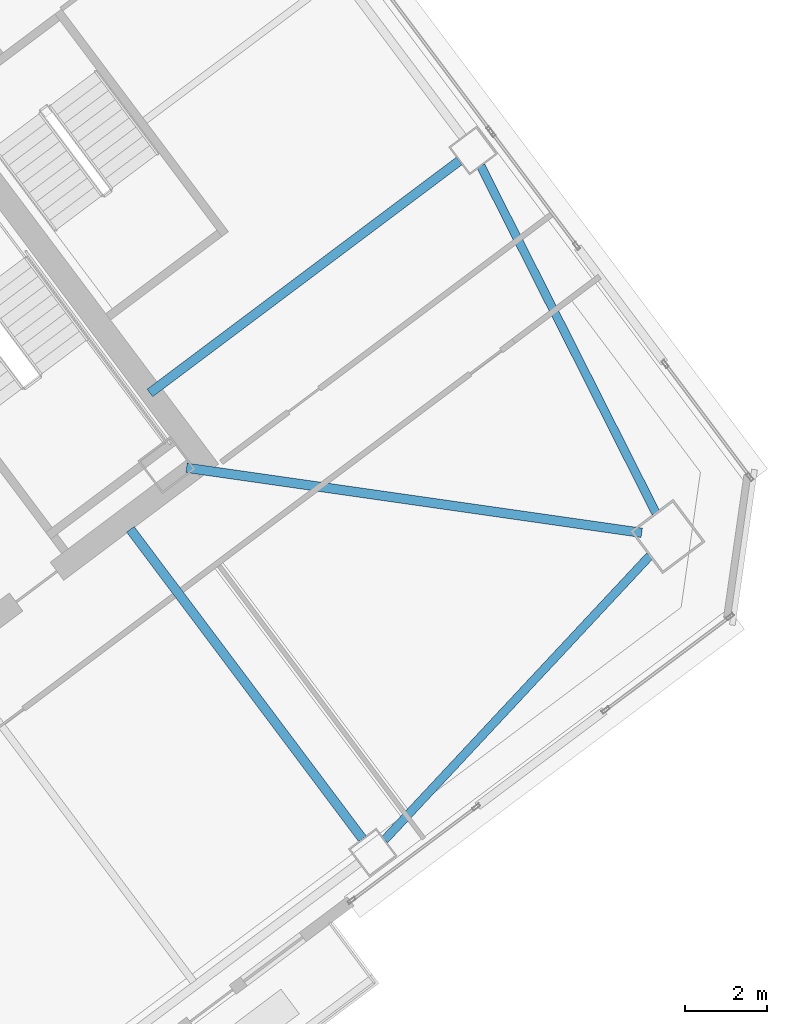
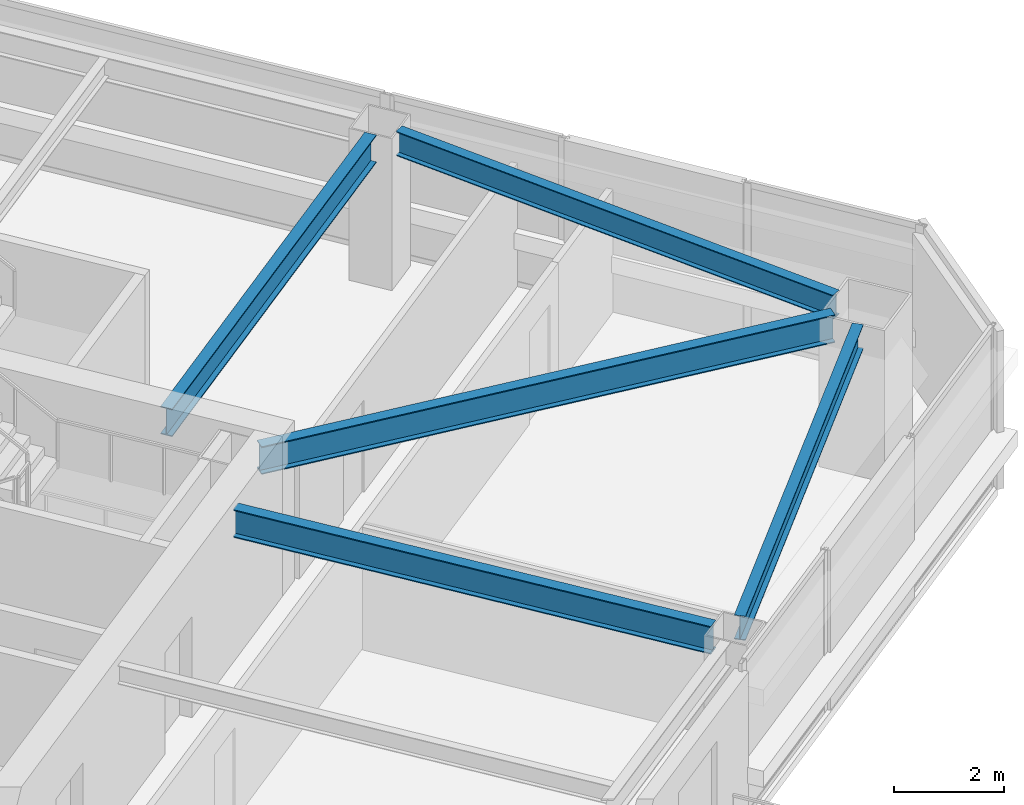
# One storey, part 28 of 46: 5 beams.
"""IFC4 building model written with IfcOpenShell, lengths in metres."""

import ifcopenshell
import ifcopenshell.guid

model = None  # the IFC model being written
_history = None  # IfcOwnerHistory: only IFC2X3 demands one
_inside = {}  # id of a spatial element -> (the spatial element, [elements in it])
_under = {}  # id of a project, library or spatial element -> (it, [spatial elements below it])
_declared = {}  # id of a project -> (the project, [libraries it declares])
_typed = {}  # id of a type object -> (the type object, [elements of that type])
_made_of = {}  # id of a material, layer set ... -> (it, [elements and type objects made of it])


def new_model(schema):
    """Start an empty IFC model of exactly this schema.

    Asked for "IFC4X3", IfcOpenShell would pick the latest addendum, in which some entities
    have other attributes; the version numbers below select the first issue.
    IFC2X3 requires an IfcOwnerHistory on every rooted entity: one is made here for all.
    """
    global model, _history
    if schema == "IFC4X3":
        model = ifcopenshell.file(schema_version=(4, 3, 0, 0))
    else:
        model = ifcopenshell.file(schema=schema)
    _inside.clear()
    _under.clear()
    _declared.clear()
    _typed.clear()
    _made_of.clear()
    _history = None
    if model.schema == "IFC2X3":
        org = make("IfcOrganization", Name="unknown")
        user = make(
            "IfcPersonAndOrganization",
            ThePerson=make("IfcPerson", FamilyName="unknown"),
            TheOrganization=org,
        )
        app = make(
            "IfcApplication",
            ApplicationDeveloper=org,
            Version="unknown",
            ApplicationFullName="unknown",
            ApplicationIdentifier="unknown",
        )
        _history = make(
            "IfcOwnerHistory",
            OwningUser=user,
            OwningApplication=app,
            ChangeAction="ADDED",
            CreationDate=0,
        )
    return model


def make(cls, **values):
    """One entity of the class cls with the attributes given. An attribute that is None is left unset."""
    return model.create_entity(
        cls, **{name: value for name, value in values.items() if value is not None}
    )


def rooted(cls, **values):
    """An entity with a GlobalId (a new one), such as an element, a storey or a relation."""
    return make(cls, GlobalId=ifcopenshell.guid.new(), OwnerHistory=_history, **values)


def si_unit(unit_type, name, prefix=None):
    """IfcSIUnit, for example si_unit("LENGTHUNIT", "METRE", prefix="MILLI")."""
    return make("IfcSIUnit", UnitType=unit_type, Prefix=prefix, Name=name)


def assignment(units):
    """IfcUnitAssignment: the units of a project."""
    return None if units is None else make("IfcUnitAssignment", Units=units)


def point(xyz):
    """IfcCartesianPoint."""
    return None if xyz is None else make("IfcCartesianPoint", Coordinates=xyz)


def direction(xyz):
    """IfcDirection."""
    return None if xyz is None else make("IfcDirection", DirectionRatios=xyz)


def frame(location, z_axis=None, x_axis=None):
    """IfcAxis2Placement3D, a coordinate frame: its origin and axes. An axis left out is left unset."""
    return make(
        "IfcAxis2Placement3D",
        Location=point(location),
        Axis=direction(z_axis),
        RefDirection=direction(x_axis),
    )


def frame_2d(location, x_axis=None):
    """IfcAxis2Placement2D, a coordinate frame in the plane: its origin and x axis."""
    return make(
        "IfcAxis2Placement2D", Location=point(location), RefDirection=direction(x_axis)
    )


def origin():
    """The frame at (0, 0, 0) with its axes left unset."""
    return frame((0.0, 0.0, 0.0))


def origin_2d():
    """The frame at (0, 0) in the plane with its x axis left unset."""
    return frame_2d((0.0, 0.0))


def place(relative_to, where):
    """IfcLocalPlacement: puts the frame where relative to a parent placement (None: the world)."""
    return make(
        "IfcLocalPlacement", PlacementRelTo=relative_to, RelativePlacement=where
    )


def context(
    kind, dimensions, precision=None, world=None, true_north=None, identifier=None
):
    """IfcGeometricRepresentationContext, for example the 3D "Model" context."""
    return make(
        "IfcGeometricRepresentationContext",
        ContextIdentifier=identifier,
        ContextType=kind,
        CoordinateSpaceDimension=dimensions,
        Precision=precision,
        WorldCoordinateSystem=world,
        TrueNorth=true_north,
    )


def subcontext(parent, identifier, kind, view, scale=None):
    """IfcGeometricRepresentationSubContext, for example "Body" below "Model"."""
    return make(
        "IfcGeometricRepresentationSubContext",
        ContextIdentifier=identifier,
        ContextType=kind,
        ParentContext=parent,
        TargetScale=scale,
        TargetView=view,
    )


def project(units=None, contexts=None):
    """IfcProject with its units and contexts."""
    return rooted(
        "IfcProject",
        Name="project",
        RepresentationContexts=contexts,
        UnitsInContext=assignment(units),
    )


def spatial(cls, under=None, at=None, **own):
    """A site, building, storey or space (cls), placed at a placement, below another one or the project."""
    s = rooted(cls, ObjectPlacement=at, **own)
    if under is not None:
        _under.setdefault(under.id(), (under, []))[1].append(s)
    return s


def profile(cls, at=None, kind="AREA", **sizes):
    """A parametric profile (cls). Its sizes go by their IFC names, for example OverallWidth=200.0."""
    return make(cls, ProfileType=kind, Position=at, **sizes)


def i_section(**sizes):
    """IfcIShapeProfileDef."""
    return profile("IfcIShapeProfileDef", **sizes)


def extrude(swept, where, along, depth):
    """IfcExtrudedAreaSolid: the profile swept, set in the frame where, extruded along a direction by depth."""
    return make(
        "IfcExtrudedAreaSolid",
        SweptArea=swept,
        Position=where,
        ExtrudedDirection=direction(along),
        Depth=depth,
    )


def shape(context_of_items, identifier, shape_type, items):
    """IfcShapeRepresentation: the items that make up one representation, for example the "Body"."""
    return make(
        "IfcShapeRepresentation",
        ContextOfItems=context_of_items,
        RepresentationIdentifier=identifier,
        RepresentationType=shape_type,
        Items=items,
    )


def material(Name=None, Category=None):
    """IfcMaterial."""
    return make("IfcMaterial", Name=Name, Category=Category)


def material_profile(
    of_material, cross_section, Name=None, Category=None, Priority=None
):
    """IfcMaterialProfile: a cross section and its material."""
    return make(
        "IfcMaterialProfile",
        Name=Name,
        Material=of_material,
        Profile=cross_section,
        Priority=Priority,
        Category=Category,
    )


def profile_set(profiles, Name=None, composite=None):
    """IfcMaterialProfileSet."""
    return make(
        "IfcMaterialProfileSet",
        Name=Name,
        MaterialProfiles=profiles,
        CompositeProfile=composite,
    )


def made_of(thing, what):
    """Note that an element or type object is made of a material, layer set ...; save() writes the relation."""
    if what is not None:
        _made_of.setdefault(what.id(), (what, []))[1].append(thing)
    return thing


def type_object(cls, material=None, **own):
    """A type object (cls), such as IfcWallType, which elements share."""
    return made_of(rooted(cls, **own), material)


def element(
    cls,
    number,
    at=None,
    inside=None,
    cuts=None,
    type_object=None,
    material=None,
    context=None,
    identifier="Body",
    shape_type=None,
    held_by="IfcProductDefinitionShape",
    body=None,
    shapes=None,
    **own,
):
    """One element of the class cls, such as IfcWall. Its Tag is "e" and its number.

    at: its placement. inside: the storey or other place that contains it. cuts: it is an
    opening in that element (IfcRelVoidsElement). A single representation is given by context,
    identifier, shape_type and body (its items); several are given by shapes. held_by: the class
    of the entity that holds the representations. save() writes the other relations.
    """
    e = rooted(cls, Tag="e%d" % number, ObjectPlacement=at, **own)
    if body is not None:
        shapes = [shape(context, identifier, shape_type, body)]
    if shapes is not None:
        e.Representation = make(held_by, Representations=shapes)
    if inside is not None:
        _inside.setdefault(inside.id(), (inside, []))[1].append(e)
    if cuts is not None:
        rooted(
            "IfcRelVoidsElement", RelatingBuildingElement=cuts, RelatedOpeningElement=e
        )
    if type_object is not None:
        _typed.setdefault(type_object.id(), (type_object, []))[1].append(e)
    return made_of(e, material)


def aggregate(whole, parts):
    """IfcRelAggregates: a whole, such as a stair, and the parts it consists of."""
    return rooted("IfcRelAggregates", RelatingObject=whole, RelatedObjects=parts)


def save(model, path):
    """Write the relations noted so far, then the file.

    IfcRelAggregates (storeys below a building ...), IfcRelContainedInSpatialStructure (elements
    in a storey), IfcRelDefinesByType, IfcRelAssociatesMaterial and IfcRelDeclares: one each for
    every whole, place, type object, material and project.
    """
    for whole, parts in _under.values():
        aggregate(whole, parts)
    for where, things in _inside.values():
        rooted(
            "IfcRelContainedInSpatialStructure",
            RelatedElements=things,
            RelatingStructure=where,
        )
    for kind, things in _typed.values():
        rooted("IfcRelDefinesByType", RelatedObjects=things, RelatingType=kind)
    for what, things in _made_of.values():
        rooted("IfcRelAssociatesMaterial", RelatedObjects=things, RelatingMaterial=what)
    for by, libraries in _declared.values():
        rooted("IfcRelDeclares", RelatingContext=by, RelatedDefinitions=libraries)
    model.write(path)


model = new_model("IFC4")

# Units and contexts
model_context = context("Model", 3, precision=1e-05, world=origin(), true_north=direction((0.0, 1.0)))
body_context = subcontext(model_context, "Body", "Model", "MODEL_VIEW")
ifc_project = project(units=[si_unit("LENGTHUNIT", "METRE"), si_unit("AREAUNIT", "SQUARE_METRE"), si_unit("VOLUMEUNIT", "CUBIC_METRE"), si_unit("PLANEANGLEUNIT", "RADIAN"), si_unit("MASSUNIT", "GRAM", prefix="KILO")], contexts=[model_context])

# Site, building, storey
site_placement = place(None, origin())
site = spatial("IfcSite", under=ifc_project, at=site_placement, CompositionType="ELEMENT")
building_placement = place(site_placement, origin())
building = spatial("IfcBuilding", under=site, at=building_placement, Name="Tashvorn Skyway Center", CompositionType="ELEMENT")
storey_placement = place(building_placement, frame((0.0, 0.0, 139.25)))
storey = spatial("IfcBuildingStorey", under=building, at=storey_placement, Name="L37", CompositionType="ELEMENT", Elevation=139.25)

# Beams
ifc_material = material(Name="Steel ASTM A992 Grade 50", Category="steel")
ifc_material_profile_1 = material_profile(ifc_material, i_section(OverallWidth=0.22998046875, OverallDepth=0.616943359375, WebThickness=0.01318359375, FlangeThickness=0.022216796875, at=origin_2d()), Name="W24X94")
ifc_profile_set_1 = profile_set([ifc_material_profile_1], Name="Steel ASTM A992 Grade 50")
beam_type_1 = type_object("IfcBeamType", Name="BM-BEAM-W24X94", PredefinedType="BEAM", material=ifc_profile_set_1)
beam_1_placement = place(storey_placement, frame((135.4814453125, 28.93115234375, 3.0615234375), z_axis=(-0.989948189712, 0.141430483583, 0.0), x_axis=(-0.141430483583, -0.989948189712, 0.0)))
element("IfcBeam", 1, at=beam_1_placement, inside=storey, type_object=beam_type_1, Name="Tower 2 L37 Primary Floor Girder MC-SE", PredefinedType="BEAM", context=body_context, shape_type="SweptSolid", body=[
    extrude(i_section(OverallWidth=0.22998046875, OverallDepth=0.616943359375, WebThickness=0.01318359375, FlangeThickness=0.022216796875, at=origin_2d()), origin(), (0.0, 0.0, 1.0), 11.234375),
])
for number, where, z_axis, x_axis, name in (
    (2, (128.657958984375, 21.4560546875, 3.0615234375), (-0.599991732772, 0.800006200354, 0.0), (-0.800006200354, -0.599991732772, 0.0), "Tower 2 L37 Primary Floor Girder FC-S2"),
    (3, (131.02392578125, 38.01806640625, 3.0615234375), (-0.799984498661, -0.600020667896, 0.0), (0.600020667896, -0.799984498661, 0.0), "Tower 2 L37 Primary Floor Girder FC-E1"),
):
    element("IfcBeam", number, at=place(storey_placement, frame(where, z_axis=z_axis, x_axis=x_axis)), inside=storey, type_object=beam_type_1, Name=name, PredefinedType="BEAM", context=body_context, shape_type="SweptSolid", body=[
        extrude(i_section(OverallWidth=0.22998046875, OverallDepth=0.616943359375, WebThickness=0.01318359375, FlangeThickness=0.022216796875, at=origin_2d()), origin(), (0.0, 0.0, 1.0), 9.449951171875),
    ])
ifc_material_profile_2 = material_profile(ifc_material, i_section(OverallWidth=0.2109375, OverallDepth=0.5390625, WebThickness=0.01171875, FlangeThickness=0.018798828125, at=origin_2d()), Name="W21X73")
ifc_profile_set_2 = profile_set([ifc_material_profile_2], Name="Steel ASTM A992 Grade 50")
beam_type_2 = type_object("IfcBeamType", Name="BM-SPANDREL-W21X73", PredefinedType="SPANDREL", material=ifc_profile_set_2)
beam_2_placement = place(storey_placement, frame((129.19677734375, 21.427001953125, 3.1005859375), z_axis=(0.682545341102, 0.730843250868, 0.0), x_axis=(-0.730843250868, 0.682545341102, 0.0)))
element("IfcBeam", 4, at=beam_2_placement, inside=storey, type_object=beam_type_2, Name="Tower 2 L37 Spandrel Beam 03", PredefinedType="SPANDREL", context=body_context, shape_type="SweptSolid", body=[
    extrude(i_section(OverallWidth=0.2109375, OverallDepth=0.5390625, WebThickness=0.01171875, FlangeThickness=0.018798828125, at=origin_2d()), origin(), (0.0, 0.0, 1.0), 9.498046875),
])
beam_3_placement = place(storey_placement, frame((135.829345703125, 29.415771484375, 3.1005859375), z_axis=(-0.450613543136, 0.892719124217, 0.0), x_axis=(-0.892719124217, -0.450613543136, 0.0)))
element("IfcBeam", 5, at=beam_3_placement, inside=storey, type_object=beam_type_2, Name="Tower 2 L37 Spandrel Beam 04", PredefinedType="SPANDREL", context=body_context, shape_type="SweptSolid", body=[
    extrude(i_section(OverallWidth=0.2109375, OverallDepth=0.5390625, WebThickness=0.01171875, FlangeThickness=0.018798828125, at=origin_2d()), origin(), (0.0, 0.0, 1.0), 9.498291015625),
])

save(model, "model.ifc")
